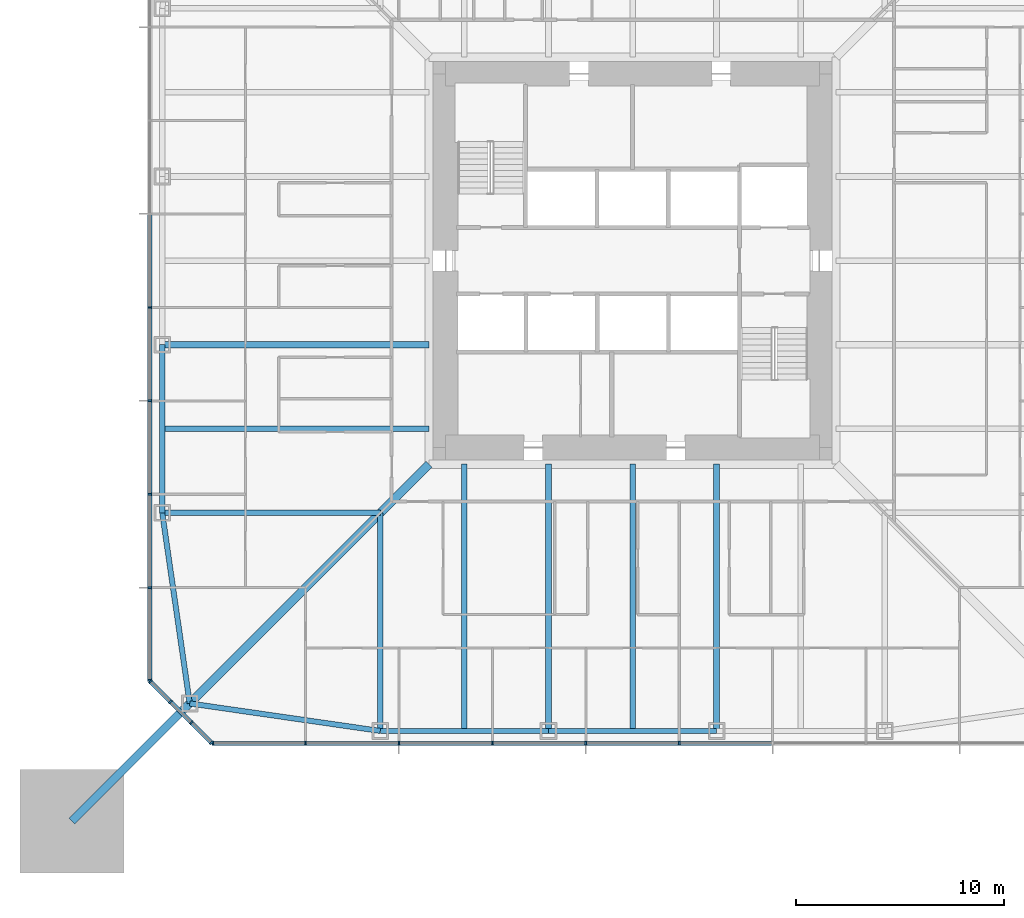
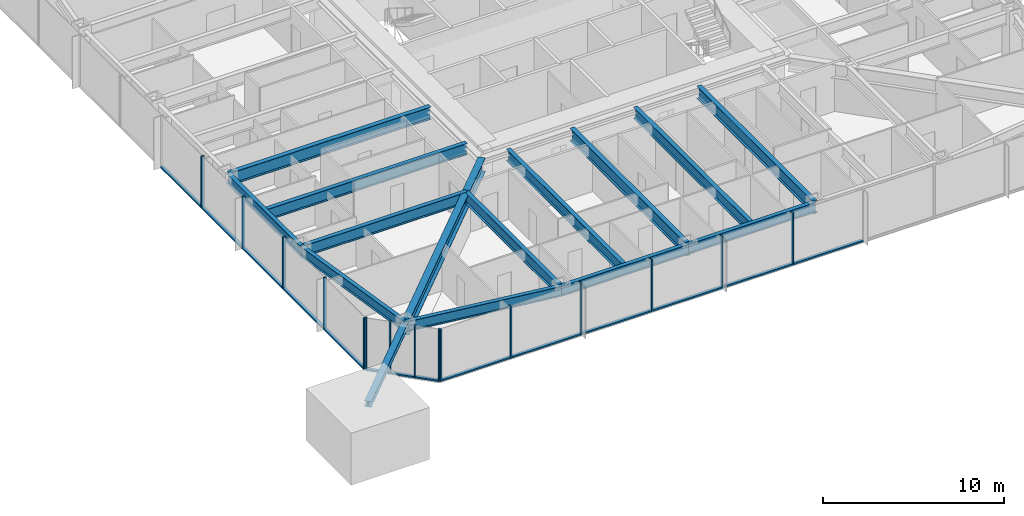
# One storey, part 3 of 26: 30 members, 14 beams, 3 elements without a shape of their own.
"""IFC4 building model written with IfcOpenShell, lengths in metres."""

from ifc_helpers import new_model, si_unit, direction, frame, origin, origin_2d, place, context, subcontext, project, spatial, rectangle, i_section, extrude, material, material_profile, profile_set, type_object, element, aggregate, save


model = new_model("IFC4")

# Units and contexts
model_context = context("Model", 3, precision=1e-05, world=origin(), true_north=direction((0.0, 1.0)))
body_context = subcontext(model_context, "Body", "Model", "MODEL_VIEW")
ifc_project = project(units=[si_unit("LENGTHUNIT", "METRE"), si_unit("AREAUNIT", "SQUARE_METRE"), si_unit("VOLUMEUNIT", "CUBIC_METRE"), si_unit("PLANEANGLEUNIT", "RADIAN"), si_unit("MASSUNIT", "GRAM", prefix="KILO")], contexts=[model_context])

# Site, building, storey
site_placement = place(None, origin())
site = spatial("IfcSite", under=ifc_project, at=site_placement, CompositionType="ELEMENT")
building_placement = place(site_placement, origin())
building = spatial("IfcBuilding", under=site, at=building_placement, Name="Iwan Alto Co-Living Towers", CompositionType="ELEMENT")
storey_placement = place(building_placement, frame((0.0, 0.0, 67.5)))
storey = spatial("IfcBuildingStorey", under=building, at=storey_placement, Name="L18", CompositionType="ELEMENT", Elevation=67.5)

# Curtain wall, members
ifc_material_1 = material(Name="Bronze aluminium unitised frame", Category="aluminium")
curtain_wall_type_1 = type_object("IfcCurtainWallType", Name="CURTAIN WALL CW-A", PredefinedType="NOTDEFINED", material=ifc_material_1)
curtain_wall_1_placement = place(storey_placement, origin())
curtain_wall_1 = element("IfcCurtainWall", 1, at=curtain_wall_1_placement, inside=storey, type_object=curtain_wall_type_1, Name="T1 curtain wall S L18", PredefinedType="NOTDEFINED")
ifc_material_2 = material(Name="Aluminium 6063-T6 bronze anodised", Category="aluminium")
ifc_material_profile_1 = material_profile(ifc_material_2, rectangle(XDim=0.199951171875, YDim=0.080078125, at=origin_2d()), Name="AL 80X200")
ifc_profile_set_1 = profile_set([ifc_material_profile_1], Name="Aluminium 6063-T6 bronze anodised")
member_type_1 = type_object("IfcMemberType", Name="CW-A MULLION 80X200", PredefinedType="MULLION", material=ifc_profile_set_1)
member_1_placement = place(storey_placement, frame((-20.2099609375, -23.25, 0.0), z_axis=(0.0, 0.0, 1.0), x_axis=(0.0, 1.0, 0.0)))
member_1 = element("IfcMember", 2, at=member_1_placement, type_object=member_type_1, Name="CW-A mullion 1", PredefinedType="MULLION", context=body_context, shape_type="SweptSolid", body=[
    extrude(rectangle(XDim=0.199951171875, YDim=0.080078125, at=origin_2d()), origin(), (0.0, 0.0, 1.0), 3.5),
])
member_2_placement = place(storey_placement, frame((-15.75, -23.25, 0.0), z_axis=(0.0, 0.0, 1.0), x_axis=(0.0, 1.0, 0.0)))
member_2 = element("IfcMember", 3, at=member_2_placement, type_object=member_type_1, Name="CW-A mullion 2", PredefinedType="MULLION", context=body_context, shape_type="SweptSolid", body=[
    extrude(rectangle(XDim=0.199951171875, YDim=0.080078125, at=origin_2d()), origin(), (0.0, 0.0, 1.0), 3.5),
])
member_3_placement = place(storey_placement, frame((-11.25, -23.25, 0.0), z_axis=(0.0, 0.0, 1.0), x_axis=(0.0, 1.0, 0.0)))
member_3 = element("IfcMember", 4, at=member_3_placement, type_object=member_type_1, Name="CW-A mullion 3", PredefinedType="MULLION", context=body_context, shape_type="SweptSolid", body=[
    extrude(rectangle(XDim=0.199951171875, YDim=0.080078125, at=origin_2d()), origin(), (0.0, 0.0, 1.0), 3.5),
])
member_4_placement = place(storey_placement, frame((-6.75, -23.25, 0.0), z_axis=(0.0, 0.0, 1.0), x_axis=(0.0, 1.0, 0.0)))
member_4 = element("IfcMember", 5, at=member_4_placement, type_object=member_type_1, Name="CW-A mullion 4", PredefinedType="MULLION", context=body_context, shape_type="SweptSolid", body=[
    extrude(rectangle(XDim=0.199951171875, YDim=0.080078125, at=origin_2d()), origin(), (0.0, 0.0, 1.0), 3.5),
])
member_5_placement = place(storey_placement, frame((-2.25, -23.25, 0.0), z_axis=(0.0, 0.0, 1.0), x_axis=(0.0, 1.0, 0.0)))
member_5 = element("IfcMember", 6, at=member_5_placement, type_object=member_type_1, Name="CW-A mullion 5", PredefinedType="MULLION", context=body_context, shape_type="SweptSolid", body=[
    extrude(rectangle(XDim=0.199951171875, YDim=0.080078125, at=origin_2d()), origin(), (0.0, 0.0, 1.0), 3.5),
])
member_6_placement = place(storey_placement, frame((2.25, -23.25, 0.0), z_axis=(0.0, 0.0, 1.0), x_axis=(0.0, 1.0, 0.0)))
member_6 = element("IfcMember", 7, at=member_6_placement, type_object=member_type_1, Name="CW-A mullion 6", PredefinedType="MULLION", context=body_context, shape_type="SweptSolid", body=[
    extrude(rectangle(XDim=0.199951171875, YDim=0.080078125, at=origin_2d()), origin(), (0.0, 0.0, 1.0), 3.5),
])

curtain_wall_2_placement = place(storey_placement, origin())
curtain_wall_2 = element("IfcCurtainWall", 8, at=curtain_wall_2_placement, inside=storey, type_object=curtain_wall_type_1, Name="T1 curtain wall W L18", PredefinedType="NOTDEFINED")
member_7_placement = place(storey_placement, frame((-23.25, -2.25, 0.0), z_axis=(0.0, 0.0, 1.0), x_axis=(1.0, 0.0, 0.0)))
member_7 = element("IfcMember", 9, at=member_7_placement, type_object=member_type_1, Name="CW-A mullion 6", PredefinedType="MULLION", context=body_context, shape_type="SweptSolid", body=[
    extrude(rectangle(XDim=0.199951171875, YDim=0.080078125, at=origin_2d()), origin(), (0.0, 0.0, 1.0), 3.5),
])
member_8_placement = place(storey_placement, frame((-23.25, -6.75, 0.0), z_axis=(0.0, 0.0, 1.0), x_axis=(1.0, 0.0, 0.0)))
member_8 = element("IfcMember", 10, at=member_8_placement, type_object=member_type_1, Name="CW-A mullion 7", PredefinedType="MULLION", context=body_context, shape_type="SweptSolid", body=[
    extrude(rectangle(XDim=0.199951171875, YDim=0.080078125, at=origin_2d()), origin(), (0.0, 0.0, 1.0), 3.5),
])
member_9_placement = place(storey_placement, frame((-23.25, -11.25, 0.0), z_axis=(0.0, 0.0, 1.0), x_axis=(1.0, 0.0, 0.0)))
member_9 = element("IfcMember", 11, at=member_9_placement, type_object=member_type_1, Name="CW-A mullion 8", PredefinedType="MULLION", context=body_context, shape_type="SweptSolid", body=[
    extrude(rectangle(XDim=0.199951171875, YDim=0.080078125, at=origin_2d()), origin(), (0.0, 0.0, 1.0), 3.5),
])
member_10_placement = place(storey_placement, frame((-23.25, -15.75, 0.0), z_axis=(0.0, 0.0, 1.0), x_axis=(1.0, 0.0, 0.0)))
member_10 = element("IfcMember", 12, at=member_10_placement, type_object=member_type_1, Name="CW-A mullion 9", PredefinedType="MULLION", context=body_context, shape_type="SweptSolid", body=[
    extrude(rectangle(XDim=0.199951171875, YDim=0.080078125, at=origin_2d()), origin(), (0.0, 0.0, 1.0), 3.5),
])
member_11_placement = place(storey_placement, frame((-23.25, -20.2099609375, 0.0), z_axis=(0.0, 0.0, 1.0), x_axis=(1.0, 0.0, 0.0)))
member_11 = element("IfcMember", 13, at=member_11_placement, type_object=member_type_1, Name="CW-A mullion 10", PredefinedType="MULLION", context=body_context, shape_type="SweptSolid", body=[
    extrude(rectangle(XDim=0.199951171875, YDim=0.080078125, at=origin_2d()), origin(), (0.0, 0.0, 1.0), 3.5),
])

# Member
ifc_material_3 = material(Name="Aluminium 6063-T6 bronze anodised", Category="aluminium")
ifc_material_profile_2 = material_profile(ifc_material_3, rectangle(XDim=0.199951171875, YDim=0.10009765625, at=origin_2d()), Name="AL 200X100")
ifc_profile_set_2 = profile_set([ifc_material_profile_2], Name="Aluminium 6063-T6 bronze anodised")
member_type_2 = type_object("IfcMemberType", Name="CW-A TRANSOM 200X100", PredefinedType="USERDEFINED", material=ifc_profile_set_2)
member_12_placement = place(storey_placement, frame((-20.169921875, -23.25, 0.050048828125), z_axis=(1.0, 0.0, 0.0), x_axis=(0.0, 1.0, 0.0)))
member_12 = element("IfcMember", 14, at=member_12_placement, type_object=member_type_2, Name="CW-A transom 1.1", ObjectType="TRANSOM", PredefinedType="USERDEFINED", context=body_context, shape_type="SweptSolid", body=[
    extrude(rectangle(XDim=0.199951171875, YDim=0.10009765625, at=origin_2d()), origin(), (0.0, 0.0, 1.0), 4.3798828125),
])

member_13_placement = place(storey_placement, frame((-15.7099609375, -23.25, 0.050048828125), z_axis=(1.0, 0.0, 0.0), x_axis=(0.0, 1.0, 0.0)))
member_13 = element("IfcMember", 15, at=member_13_placement, type_object=member_type_2, Name="CW-A transom 2.1", ObjectType="TRANSOM", PredefinedType="USERDEFINED", context=body_context, shape_type="SweptSolid", body=[
    extrude(rectangle(XDim=0.199951171875, YDim=0.10009765625, at=origin_2d()), origin(), (0.0, 0.0, 1.0), 4.419921875),
])

member_14_placement = place(storey_placement, frame((-11.2099609375, -23.25, 0.050048828125), z_axis=(1.0, 0.0, 0.0), x_axis=(0.0, 1.0, 0.0)))
member_14 = element("IfcMember", 16, at=member_14_placement, type_object=member_type_2, Name="CW-A transom 3.1", ObjectType="TRANSOM", PredefinedType="USERDEFINED", context=body_context, shape_type="SweptSolid", body=[
    extrude(rectangle(XDim=0.199951171875, YDim=0.10009765625, at=origin_2d()), origin(), (0.0, 0.0, 1.0), 4.419921875),
])

member_15_placement = place(storey_placement, frame((-6.7099609375, -23.25, 0.050048828125), z_axis=(1.0, 0.0, 0.0), x_axis=(0.0, 1.0, 0.0)))
member_15 = element("IfcMember", 17, at=member_15_placement, type_object=member_type_2, Name="CW-A transom 4.1", ObjectType="TRANSOM", PredefinedType="USERDEFINED", context=body_context, shape_type="SweptSolid", body=[
    extrude(rectangle(XDim=0.199951171875, YDim=0.10009765625, at=origin_2d()), origin(), (0.0, 0.0, 1.0), 4.419921875),
])

member_16_placement = place(storey_placement, frame((-2.2099609375, -23.25, 0.050048828125), z_axis=(1.0, 0.0, 0.0), x_axis=(0.0, 1.0, 0.0)))
member_16 = element("IfcMember", 18, at=member_16_placement, type_object=member_type_2, Name="CW-A transom 5.1", ObjectType="TRANSOM", PredefinedType="USERDEFINED", context=body_context, shape_type="SweptSolid", body=[
    extrude(rectangle(XDim=0.199951171875, YDim=0.10009765625, at=origin_2d()), origin(), (0.0, 0.0, 1.0), 4.419921875),
])

member_17_placement = place(storey_placement, frame((2.2900390625, -23.25, 0.050048828125), z_axis=(1.0, 0.0, 0.0), x_axis=(0.0, 1.0, 0.0)))
member_17 = element("IfcMember", 19, at=member_17_placement, type_object=member_type_2, Name="CW-A transom 6.1", ObjectType="TRANSOM", PredefinedType="USERDEFINED", context=body_context, shape_type="SweptSolid", body=[
    extrude(rectangle(XDim=0.199951171875, YDim=0.10009765625, at=origin_2d()), origin(), (0.0, 0.0, 1.0), 4.419921875),
])

aggregate(curtain_wall_1, [member_1, member_2, member_3, member_4, member_5, member_6, member_12, member_13, member_14, member_15, member_16, member_17])

member_18_placement = place(storey_placement, frame((-23.25, 2.2099609375, 0.050048828125), z_axis=(0.0, -1.0, 0.0), x_axis=(1.0, 0.0, 0.0)))
member_18 = element("IfcMember", 20, at=member_18_placement, type_object=member_type_2, Name="CW-A transom 5.1", ObjectType="TRANSOM", PredefinedType="USERDEFINED", context=body_context, shape_type="SweptSolid", body=[
    extrude(rectangle(XDim=0.199951171875, YDim=0.10009765625, at=origin_2d()), origin(), (0.0, 0.0, 1.0), 4.419921875),
])

member_19_placement = place(storey_placement, frame((-23.25, -2.2900390625, 0.050048828125), z_axis=(0.0, -1.0, 0.0), x_axis=(1.0, 0.0, 0.0)))
member_19 = element("IfcMember", 21, at=member_19_placement, type_object=member_type_2, Name="CW-A transom 6.1", ObjectType="TRANSOM", PredefinedType="USERDEFINED", context=body_context, shape_type="SweptSolid", body=[
    extrude(rectangle(XDim=0.199951171875, YDim=0.10009765625, at=origin_2d()), origin(), (0.0, 0.0, 1.0), 4.419921875),
])

member_20_placement = place(storey_placement, frame((-23.25, -6.7900390625, 0.050048828125), z_axis=(0.0, -1.0, 0.0), x_axis=(1.0, 0.0, 0.0)))
member_20 = element("IfcMember", 22, at=member_20_placement, type_object=member_type_2, Name="CW-A transom 7.1", ObjectType="TRANSOM", PredefinedType="USERDEFINED", context=body_context, shape_type="SweptSolid", body=[
    extrude(rectangle(XDim=0.199951171875, YDim=0.10009765625, at=origin_2d()), origin(), (0.0, 0.0, 1.0), 4.419921875),
])

member_21_placement = place(storey_placement, frame((-23.25, -11.2900390625, 0.050048828125), z_axis=(0.0, -1.0, 0.0), x_axis=(1.0, 0.0, 0.0)))
member_21 = element("IfcMember", 23, at=member_21_placement, type_object=member_type_2, Name="CW-A transom 8.1", ObjectType="TRANSOM", PredefinedType="USERDEFINED", context=body_context, shape_type="SweptSolid", body=[
    extrude(rectangle(XDim=0.199951171875, YDim=0.10009765625, at=origin_2d()), origin(), (0.0, 0.0, 1.0), 4.419921875),
])

member_22_placement = place(storey_placement, frame((-23.25, -15.7900390625, 0.050048828125), z_axis=(0.0, -1.0, 0.0), x_axis=(1.0, 0.0, 0.0)))
member_22 = element("IfcMember", 24, at=member_22_placement, type_object=member_type_2, Name="CW-A transom 9.1", ObjectType="TRANSOM", PredefinedType="USERDEFINED", context=body_context, shape_type="SweptSolid", body=[
    extrude(rectangle(XDim=0.199951171875, YDim=0.10009765625, at=origin_2d()), origin(), (0.0, 0.0, 1.0), 4.3798828125),
])

aggregate(curtain_wall_2, [member_7, member_8, member_9, member_10, member_11, member_18, member_19, member_20, member_21, member_22])

# Curtain wall, members
ifc_material_4 = material(Name="Bronze aluminium unitised frame", Category="aluminium")
curtain_wall_type_2 = type_object("IfcCurtainWallType", Name="CURTAIN WALL CW-B", PredefinedType="NOTDEFINED", material=ifc_material_4)
curtain_wall_3_placement = place(storey_placement, origin())
curtain_wall_3 = element("IfcCurtainWall", 25, at=curtain_wall_3_placement, inside=storey, type_object=curtain_wall_type_2, Name="T1 chamfer curtain wall SW L18", PredefinedType="NOTDEFINED")
ifc_material_5 = material(Name="Aluminium 6063-T6 bronze anodised", Category="aluminium")
ifc_material_profile_3 = material_profile(ifc_material_5, rectangle(XDim=0.199951171875, YDim=0.080078125, at=origin_2d()), Name="AL 80X200")
ifc_profile_set_3 = profile_set([ifc_material_profile_3], Name="Aluminium 6063-T6 bronze anodised")
member_type_3 = type_object("IfcMemberType", Name="CW-B MULLION 80X200", PredefinedType="MULLION", material=ifc_profile_set_3)
member_23_placement = place(storey_placement, frame((-23.2216796875, -20.2783203125, 0.0), z_axis=(0.0, 0.0, 1.0), x_axis=(0.707106781187, 0.707106781187, 0.0)))
member_23 = element("IfcMember", 26, at=member_23_placement, type_object=member_type_3, Name="CW-B mullion 1", PredefinedType="MULLION", context=body_context, shape_type="SweptSolid", body=[
    extrude(rectangle(XDim=0.199951171875, YDim=0.080078125, at=origin_2d()), origin(), (0.0, 0.0, 1.0), 3.5),
])
member_24_placement = place(storey_placement, frame((-22.25, -21.25, 0.0), z_axis=(0.0, 0.0, 1.0), x_axis=(0.707106781187, 0.707106781187, 0.0)))
member_24 = element("IfcMember", 27, at=member_24_placement, type_object=member_type_3, Name="CW-B mullion 2", PredefinedType="MULLION", context=body_context, shape_type="SweptSolid", body=[
    extrude(rectangle(XDim=0.199951171875, YDim=0.080078125, at=origin_2d()), origin(), (0.0, 0.0, 1.0), 3.5),
])
member_25_placement = place(storey_placement, frame((-21.25, -22.25, 0.0), z_axis=(0.0, 0.0, 1.0), x_axis=(0.707106781187, 0.707106781187, 0.0)))
member_25 = element("IfcMember", 28, at=member_25_placement, type_object=member_type_3, Name="CW-B mullion 3", PredefinedType="MULLION", context=body_context, shape_type="SweptSolid", body=[
    extrude(rectangle(XDim=0.199951171875, YDim=0.080078125, at=origin_2d()), origin(), (0.0, 0.0, 1.0), 3.5),
])
member_26_placement = place(storey_placement, frame((-20.2783203125, -23.2216796875, 0.0), z_axis=(0.0, 0.0, 1.0), x_axis=(0.707106781187, 0.707106781187, 0.0)))
member_26 = element("IfcMember", 29, at=member_26_placement, type_object=member_type_3, Name="CW-B mullion 4", PredefinedType="MULLION", context=body_context, shape_type="SweptSolid", body=[
    extrude(rectangle(XDim=0.199951171875, YDim=0.080078125, at=origin_2d()), origin(), (0.0, 0.0, 1.0), 3.5),
])
ifc_material_6 = material(Name="Aluminium 6063-T6 bronze anodised", Category="aluminium")
ifc_material_profile_4 = material_profile(ifc_material_6, rectangle(XDim=0.199951171875, YDim=0.10009765625, at=origin_2d()), Name="AL 200X100")
ifc_profile_set_4 = profile_set([ifc_material_profile_4], Name="Aluminium 6063-T6 bronze anodised")
member_type_4 = type_object("IfcMemberType", Name="CW-B TRANSOM 200X100", PredefinedType="USERDEFINED", material=ifc_profile_set_4)
member_27_placement = place(storey_placement, frame((-23.193359375, -20.306640625, 0.050048828125), z_axis=(0.707106781187, -0.707106781187, 0.0), x_axis=(0.707106781187, 0.707106781187, 0.0)))
member_27 = element("IfcMember", 30, at=member_27_placement, type_object=member_type_4, Name="CW-B transom 1.1", ObjectType="TRANSOM", PredefinedType="USERDEFINED", context=body_context, shape_type="SweptSolid", body=[
    extrude(rectangle(XDim=0.199951171875, YDim=0.10009765625, at=origin_2d()), origin(), (0.0, 0.0, 1.0), 1.2939453125),
])
member_28_placement = place(storey_placement, frame((-22.2216796875, -21.2783203125, 0.050048828125), z_axis=(0.707106781187, -0.707106781187, 0.0), x_axis=(0.707106781187, 0.707106781187, 0.0)))
member_28 = element("IfcMember", 31, at=member_28_placement, type_object=member_type_4, Name="CW-B transom 2.1", ObjectType="TRANSOM", PredefinedType="USERDEFINED", context=body_context, shape_type="SweptSolid", body=[
    extrude(rectangle(XDim=0.199951171875, YDim=0.10009765625, at=origin_2d()), origin(), (0.0, 0.0, 1.0), 1.334228515625),
])
member_29_placement = place(storey_placement, frame((-21.2216796875, -22.2783203125, 0.050048828125), z_axis=(0.707106781187, -0.707106781187, 0.0), x_axis=(0.707106781187, 0.707106781187, 0.0)))
member_29 = element("IfcMember", 32, at=member_29_placement, type_object=member_type_4, Name="CW-B transom 3.1", ObjectType="TRANSOM", PredefinedType="USERDEFINED", context=body_context, shape_type="SweptSolid", body=[
    extrude(rectangle(XDim=0.199951171875, YDim=0.10009765625, at=origin_2d()), origin(), (0.0, 0.0, 1.0), 1.2939453125),
])
aggregate(curtain_wall_3, [member_23, member_24, member_25, member_26, member_27, member_28, member_29])

# Beams
ifc_material_7 = material(Name="Steel ASTM A992 Gr 50", Category="steel")
ifc_material_profile_5 = material_profile(ifc_material_7, i_section(OverallWidth=0.419189453125, OverallDepth=0.927001953125, WebThickness=0.019287109375, FlangeThickness=0.031982421875, at=origin_2d()), Name="W36X231")
ifc_profile_set_5 = profile_set([ifc_material_profile_5], Name="Steel ASTM A992 Gr 50")
beam_type_1 = type_object("IfcBeamType", Name="T1 CORNER GIRDER W36X231", PredefinedType="BEAM", material=ifc_profile_set_5)
beam_1_placement = place(storey_placement, frame((-21.32568359375, -21.32568359375, 2.806396484375), z_axis=(0.707106781187, 0.707106781187, 0.0), x_axis=(-0.707106781187, 0.707106781187, 0.0)))
element("IfcBeam", 33, at=beam_1_placement, inside=storey, type_object=beam_type_1, Name="T1 corner girder CSW L19", PredefinedType="BEAM", context=body_context, shape_type="SweptSolid", body=[
    extrude(i_section(OverallWidth=0.419189453125, OverallDepth=0.927001953125, WebThickness=0.019287109375, FlangeThickness=0.031982421875, at=origin_2d()), origin(), (0.0, 0.0, 1.0), 16.30078125),
])
ifc_material_8 = material(Name="Steel ASTM A992 Gr 50", Category="steel")
ifc_material_profile_6 = material_profile(ifc_material_8, i_section(OverallWidth=0.25390625, OverallDepth=0.683349609375, WebThickness=0.012451171875, FlangeThickness=0.018798828125, at=origin_2d()), Name="W27X94")
ifc_profile_set_6 = profile_set([ifc_material_profile_6], Name="Steel ASTM A992 Gr 50")
beam_type_2 = type_object("IfcBeamType", Name="T1 EDGE BEAM W27X94", PredefinedType="BEAM", material=ifc_profile_set_6)
beam_2_placement = place(storey_placement, frame((-21.32568359375, -21.32568359375, 2.928466796875), z_axis=(0.989746234347, -0.142836940589, 0.0), x_axis=(0.142836940589, 0.989746234347, 0.0)))
element("IfcBeam", 34, at=beam_2_placement, inside=storey, type_object=beam_type_2, Name="T1 edge beam CSW L19", PredefinedType="BEAM", context=body_context, shape_type="SweptSolid", body=[
    extrude(i_section(OverallWidth=0.25390625, OverallDepth=0.683349609375, WebThickness=0.012451171875, FlangeThickness=0.018798828125, at=origin_2d()), origin(), (0.0, 0.0, 1.0), 9.270751953125),
])
beam_3_placement = place(storey_placement, frame((-12.14990234375, -22.64990234375, 2.928466796875), z_axis=(1.0, 0.0, 0.0), x_axis=(0.0, 1.0, 0.0)))
element("IfcBeam", 35, at=beam_3_placement, inside=storey, type_object=beam_type_2, Name="T1 edge beam S1 L19", PredefinedType="BEAM", context=body_context, shape_type="SweptSolid", body=[
    extrude(i_section(OverallWidth=0.25390625, OverallDepth=0.683349609375, WebThickness=0.012451171875, FlangeThickness=0.018798828125, at=origin_2d()), origin(), (0.0, 0.0, 1.0), 8.099853515625),
])
beam_4_placement = place(storey_placement, frame((-4.050048828125, -22.64990234375, 2.928466796875), z_axis=(1.0, 0.0, 0.0), x_axis=(0.0, 1.0, 0.0)))
element("IfcBeam", 36, at=beam_4_placement, inside=storey, type_object=beam_type_2, Name="T1 edge beam S2 L19", PredefinedType="BEAM", context=body_context, shape_type="SweptSolid", body=[
    extrude(i_section(OverallWidth=0.25390625, OverallDepth=0.683349609375, WebThickness=0.012451171875, FlangeThickness=0.018798828125, at=origin_2d()), origin(), (0.0, 0.0, 1.0), 8.10009765625),
])
beam_5_placement = place(storey_placement, frame((-22.64990234375, -4.050048828125, 2.928466796875), z_axis=(0.0, -1.0, 0.0), x_axis=(1.0, 0.0, 0.0)))
element("IfcBeam", 37, at=beam_5_placement, inside=storey, type_object=beam_type_2, Name="T1 edge beam W3 L19", PredefinedType="BEAM", context=body_context, shape_type="SweptSolid", body=[
    extrude(i_section(OverallWidth=0.25390625, OverallDepth=0.683349609375, WebThickness=0.012451171875, FlangeThickness=0.018798828125, at=origin_2d()), origin(), (0.0, 0.0, 1.0), 8.099853515625),
])
beam_6_placement = place(storey_placement, frame((-22.64990234375, -12.14990234375, 2.928466796875), z_axis=(0.142836940589, -0.989746234347, 0.0), x_axis=(0.989746234347, 0.142836940589, 0.0)))
element("IfcBeam", 38, at=beam_6_placement, inside=storey, type_object=beam_type_2, Name="T1 edge beam W4 L19", PredefinedType="BEAM", context=body_context, shape_type="SweptSolid", body=[
    extrude(i_section(OverallWidth=0.25390625, OverallDepth=0.683349609375, WebThickness=0.012451171875, FlangeThickness=0.018798828125, at=origin_2d()), origin(), (0.0, 0.0, 1.0), 9.270751953125),
])

# Member
ifc_material_9 = material(Name="Steel ASTM A992 Gr 50", Category="steel")
ifc_material_profile_7 = material_profile(ifc_material_9, i_section(OverallWidth=0.393798828125, OverallDepth=0.3759765625, WebThickness=0.017333984375, FlangeThickness=0.027587890625, at=origin_2d()), Name="W14X145")
ifc_profile_set_7 = profile_set([ifc_material_profile_7], Name="Steel ASTM A992 Gr 50")
member_type_5 = type_object("IfcMemberType", Name="T1 MEGA COLUMN FLOOR TIE W14X145", PredefinedType="STRUT", material=ifc_profile_set_7)
member_30_placement = place(storey_placement, frame((-27.0, -27.0, 3.08203125), z_axis=(0.707106781187, 0.707106781187, 0.0), x_axis=(-0.707106781187, 0.707106781187, 0.0)))
element("IfcMember", 39, at=member_30_placement, inside=storey, type_object=member_type_5, Name="T1 mega column floor tie SW L19", PredefinedType="STRUT", context=body_context, shape_type="SweptSolid", body=[
    extrude(i_section(OverallWidth=0.393798828125, OverallDepth=0.3759765625, WebThickness=0.017333984375, FlangeThickness=0.027587890625, at=origin_2d()), origin(), (0.0, 0.0, 1.0), 8.024658203125),
])

# Beams
ifc_material_10 = material(Name="Steel ASTM A992 Gr 50", Category="steel")
ifc_material_profile_8 = material_profile(ifc_material_10, i_section(OverallWidth=0.2666015625, OverallDepth=0.761962890625, WebThickness=0.014404296875, FlangeThickness=0.021484375, at=origin_2d()), Name="W30X116")
ifc_profile_set_8 = profile_set([ifc_material_profile_8], Name="Steel ASTM A992 Gr 50")
beam_type_3 = type_object("IfcBeamType", Name="T1 RADIAL BEAM W30X116", PredefinedType="BEAM", material=ifc_profile_set_8)
for number, where, z_axis, x_axis, name in (
    (40, (-12.14990234375, -22.64990234375, 2.888916015625), (0.0, 1.0, 0.0), (-1.0, 0.0, 0.0), "T1 radial beam S1 L19"),
    (41, (-22.64990234375, -12.14990234375, 2.888916015625), (1.0, 0.0, 0.0), (0.0, 1.0, 0.0), "T1 radial beam W4 L19"),
):
    element("IfcBeam", number, at=place(storey_placement, frame(where, z_axis=z_axis, x_axis=x_axis)), inside=storey, type_object=beam_type_3, Name=name, PredefinedType="BEAM", context=body_context, shape_type="SweptSolid", body=[
        extrude(i_section(OverallWidth=0.2666015625, OverallDepth=0.761962890625, WebThickness=0.014404296875, FlangeThickness=0.021484375, at=origin_2d()), origin(), (0.0, 0.0, 1.0), 10.5),
    ])
ifc_material_11 = material(Name="Steel ASTM A992 Gr 50", Category="steel")
ifc_material_profile_9 = material_profile(ifc_material_11, i_section(OverallWidth=0.2919921875, OverallDepth=0.8408203125, WebThickness=0.0146484375, FlangeThickness=0.021728515625, at=origin_2d()), Name="W33X130")
ifc_profile_set_9 = profile_set([ifc_material_profile_9], Name="Steel ASTM A992 Gr 50")
beam_type_4 = type_object("IfcBeamType", Name="T1 RADIAL BEAM W33X130", PredefinedType="BEAM", material=ifc_profile_set_9)
for number, where, z_axis, x_axis, name in (
    (42, (-4.050048828125, -22.64990234375, 2.849609375), (0.0, 1.0, 0.0), (-1.0, 0.0, 0.0), "T1 radial beam S2 L19"),
    (43, (4.050048828125, -22.64990234375, 2.849609375), (0.0, 1.0, 0.0), (-1.0, 0.0, 0.0), "T1 radial beam S3 L19"),
    (44, (-22.64990234375, -4.050048828125, 2.849609375), (1.0, 0.0, 0.0), (0.0, 1.0, 0.0), "T1 radial beam W3 L19"),
):
    element("IfcBeam", number, at=place(storey_placement, frame(where, z_axis=z_axis, x_axis=x_axis)), inside=storey, type_object=beam_type_4, Name=name, PredefinedType="BEAM", context=body_context, shape_type="SweptSolid", body=[
        extrude(i_section(OverallWidth=0.2919921875, OverallDepth=0.8408203125, WebThickness=0.0146484375, FlangeThickness=0.021728515625, at=origin_2d()), origin(), (0.0, 0.0, 1.0), 12.8505859375),
    ])
ifc_material_12 = material(Name="Steel ASTM A992 Gr 50", Category="steel")
ifc_material_profile_10 = material_profile(ifc_material_12, i_section(OverallWidth=0.2666015625, OverallDepth=0.761962890625, WebThickness=0.014404296875, FlangeThickness=0.021484375, at=origin_2d()), Name="W30X116")
ifc_profile_set_10 = profile_set([ifc_material_profile_10], Name="Steel ASTM A992 Gr 50")
beam_type_5 = type_object("IfcBeamType", Name="T1 SECONDARY BEAM W30X116", PredefinedType="JOIST", material=ifc_profile_set_10)
for number, where, z_axis, x_axis, name in (
    (45, (-8.10009765625, -22.64990234375, 2.888916015625), (0.0, 1.0, 0.0), (-1.0, 0.0, 0.0), "T1 secondary beam S1 L19"),
    (46, (0.0, -22.64990234375, 2.888916015625), (0.0, 1.0, 0.0), (-1.0, 0.0, 0.0), "T1 secondary beam S2 L19"),
    (47, (-22.64990234375, -8.10009765625, 2.888916015625), (1.0, 0.0, 0.0), (0.0, 1.0, 0.0), "T1 secondary beam W3 L19"),
):
    element("IfcBeam", number, at=place(storey_placement, frame(where, z_axis=z_axis, x_axis=x_axis)), inside=storey, type_object=beam_type_5, Name=name, PredefinedType="JOIST", context=body_context, shape_type="SweptSolid", body=[
        extrude(i_section(OverallWidth=0.2666015625, OverallDepth=0.761962890625, WebThickness=0.014404296875, FlangeThickness=0.021484375, at=origin_2d()), origin(), (0.0, 0.0, 1.0), 12.8505859375),
    ])

save(model, "model.ifc")
